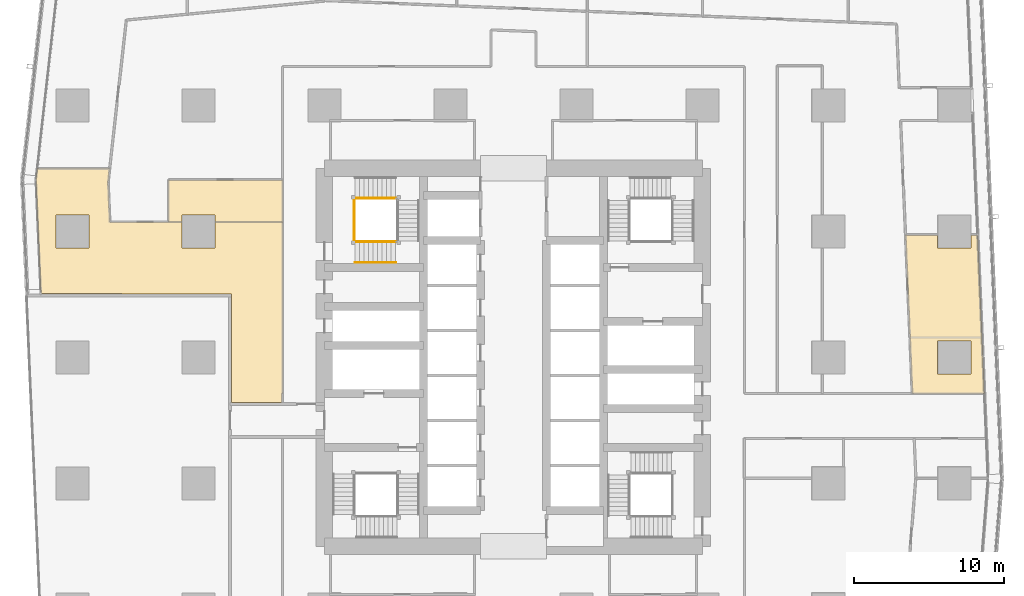
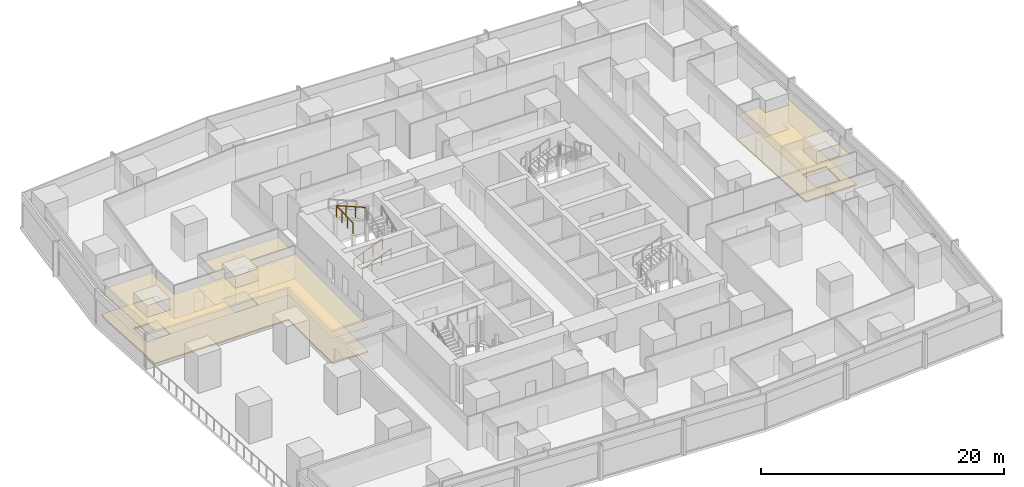
# One storey, part 38 of 42: 6 coverings, 4 railings.
"""IFC4 building model written with IfcOpenShell, lengths in metres."""

from ifc_helpers import new_model, si_unit, direction, frame, origin, origin_2d, place, context, subcontext, project, spatial, polyline, circle, outline, extrude, material, layer, layer_set, type_object, element, save


model = new_model("IFC4")

# Units and contexts
model_context = context("Model", 3, precision=1e-05, world=origin(), true_north=direction((0.0, 1.0)))
body_context = subcontext(model_context, "Body", "Model", "MODEL_VIEW")
ifc_project = project(units=[si_unit("LENGTHUNIT", "METRE"), si_unit("AREAUNIT", "SQUARE_METRE"), si_unit("VOLUMEUNIT", "CUBIC_METRE"), si_unit("PLANEANGLEUNIT", "RADIAN"), si_unit("MASSUNIT", "GRAM", prefix="KILO")], contexts=[model_context])

# Site, building, storey
site_placement = place(None, origin())
site = spatial("IfcSite", under=ifc_project, at=site_placement, CompositionType="ELEMENT")
building_placement = place(site_placement, origin())
building = spatial("IfcBuilding", under=site, at=building_placement, Name="Rekha Terrace Tower", CompositionType="ELEMENT")
storey_placement = place(building_placement, frame((0.0, 0.0, 55.39990234375)))
storey = spatial("IfcBuildingStorey", under=building, at=storey_placement, Name="L13", CompositionType="ELEMENT", Elevation=55.39990234375)

# Coverings
ifc_material_1 = material(Name="Mineral fibre tile in exposed grid", Category="finish")
ifc_layer_1 = layer(ifc_material_1, 0.02001953125)
ifc_layer_set_1 = layer_set([ifc_layer_1], Name="Mineral fibre tile in exposed grid")
covering_type_1 = type_object("IfcCoveringType", Name="CL1 600x1200 office grid ceiling", PredefinedType="CEILING", material=ifc_layer_set_1)
covering_1_placement = place(storey_placement, frame((0.0, 0.0, 2.580078125)))
element("IfcCovering", 1, at=covering_1_placement, inside=storey, type_object=covering_type_1, Name="Ceiling L13-07", PredefinedType="CEILING", context=body_context, shape_type="SweptSolid", body=[
    extrude(outline(polyline([(69.195068359375, 31.199951171875), (69.035888671875, 34.929931640625), (68.742919921875, 41.781005859375), (68.31494140625, 41.781005859375), (68.31494140625, 40.885009765625), (66.0849609375, 40.885009765625), (66.0849609375, 41.781005859375), (63.93896484375, 41.781005859375), (64.23193359375, 34.930908203125), (64.39111328125, 31.199951171875), (69.195068359375, 31.199951171875)]), holes=[polyline([(68.31494140625, 32.485107421875), (66.0849609375, 32.485107421875), (66.0849609375, 34.715087890625), (68.31494140625, 34.715087890625), (68.31494140625, 32.485107421875)])]), origin(), (0.0, 0.0, 1.0), 0.02001953125),
])
covering_2_placement = place(storey_placement, frame((0.0, 0.0, 2.580078125)))
element("IfcCovering", 2, at=covering_2_placement, inside=storey, type_object=covering_type_1, Name="Ceiling L13-16", PredefinedType="CEILING", context=body_context, shape_type="SweptSolid", body=[
    extrude(outline(polyline([(6.047119140625, 46.18994140625), (5.962890625, 45.444091796875), (6.2939453125, 37.863037109375), (11.694091796875, 37.863037109375), (11.694091796875, 37.8310546875), (19.0009765625, 37.8310546875), (19.0009765625, 30.60107421875), (22.375, 30.60107421875), (22.375, 31.199951171875), (22.39990234375, 31.199951171875), (22.39990234375, 42.631103515625), (17.9150390625, 42.631103515625), (17.9150390625, 40.885009765625), (15.68505859375, 40.885009765625), (15.68505859375, 42.631103515625), (10.89111328125, 42.631103515625), (10.77490234375, 45.280029296875), (10.876953125, 46.18994140625), (6.047119140625, 46.18994140625)]), holes=[polyline([(9.514892578125, 40.885009765625), (7.284912109375, 40.885009765625), (7.284912109375, 43.114990234375), (9.514892578125, 43.114990234375), (9.514892578125, 40.885009765625)])]), origin(), (0.0, 0.0, 1.0), 0.02001953125),
])
covering_3_placement = place(storey_placement, frame((0.0, 0.0, 2.580078125)))
element("IfcCovering", 3, at=covering_3_placement, inside=storey, type_object=covering_type_1, Name="Ceiling L13-17", PredefinedType="CEILING", context=body_context, shape_type="SweptSolid", body=[
    extrude(outline(polyline([(22.39990234375, 45.444091796875), (14.801025390625, 45.444091796875), (14.801025390625, 42.631103515625), (15.68505859375, 42.631103515625), (15.68505859375, 43.114990234375), (17.9150390625, 43.114990234375), (17.9150390625, 42.631103515625), (22.39990234375, 42.631103515625), (22.39990234375, 45.444091796875)])), origin(), (0.0, 0.0, 1.0), 0.02001953125),
])

# Railings
ifc_material_2 = material(Name="Stainless steel balustrade", Category="steel")
railing_type_1 = type_object("IfcRailingType", Name="GR1 1100 stair guard", PredefinedType="GUARDRAIL", material=ifc_material_2)
railing_1_placement = place(storey_placement, frame((27.25, 41.31494140625, 0.125)))
element("IfcRailing", 4, at=railing_1_placement, inside=storey, type_object=railing_type_1, Name="Guard ST4 L13 flight 1", PredefinedType="GUARDRAIL", context=body_context, shape_type="SweptSolid", body=[
    extrude(circle(Radius=0.02392578125, at=origin_2d()), frame((0.0, 0.0, 1.076171875), z_axis=(0.923074453586, 0.0, 0.384621311341), x_axis=(0.0, 1.0, 0.0)), (0.0, 0.0, 1.0), 2.925048828125),
    extrude(circle(Radius=0.02099609375, at=origin_2d()), origin(), (0.0, 0.0, 1.0), 1.052001953125),
    extrude(circle(Radius=0.02099609375, at=origin_2d()), frame((0.89990234375, 0.0, 0.375)), (0.0, 0.0, 1.0), 1.052001953125),
    extrude(circle(Radius=0.02099609375, at=origin_2d()), frame((1.800048828125, 0.0, 0.75)), (0.0, 0.0, 1.0), 1.052001953125),
    extrude(circle(Radius=0.02099609375, at=origin_2d()), frame((2.699951171875, 0.0, 1.125)), (0.0, 0.0, 1.0), 1.052001953125),
])
railing_2_placement = place(storey_placement, frame((29.949951171875, 44.2099609375, 2.625)))
element("IfcRailing", 5, at=railing_2_placement, inside=storey, type_object=railing_type_1, Name="Guard ST4 L13 flight 3", PredefinedType="GUARDRAIL", context=body_context, shape_type="SweptSolid", body=[
    extrude(circle(Radius=0.02392578125, at=origin_2d()), frame((0.0, 0.0, 1.076171875), z_axis=(-0.923074453586, 0.0, 0.384621311341), x_axis=(0.0, -1.0, 0.0)), (0.0, 0.0, 1.0), 2.925048828125),
    extrude(circle(Radius=0.02099609375, at=origin_2d()), origin(), (0.0, 0.0, 1.0), 1.052001953125),
    extrude(circle(Radius=0.02099609375, at=origin_2d()), frame((-0.89990234375, 0.0, 0.375)), (0.0, 0.0, 1.0), 1.052001953125),
    extrude(circle(Radius=0.02099609375, at=origin_2d()), frame((-1.800048828125, 0.0, 0.75)), (0.0, 0.0, 1.0), 1.052001953125),
    extrude(circle(Radius=0.02099609375, at=origin_2d()), frame((-2.699951171875, 0.0, 1.125)), (0.0, 0.0, 1.0), 1.052001953125),
])
railing_3_placement = place(storey_placement, frame((27.18994140625, 41.375, 3.75)))
element("IfcRailing", 6, at=railing_3_placement, inside=storey, type_object=railing_type_1, Name="Guard ST4 L13 landing 4", PredefinedType="GUARDRAIL", context=body_context, shape_type="SweptSolid", body=[
    extrude(circle(Radius=0.02392578125, at=origin_2d()), frame((0.0, 0.0, 1.076171875), z_axis=(0.0, 1.0, 0.0), x_axis=(-1.0, 0.0, 0.0)), (0.0, 0.0, 1.0), 2.77490234375),
    extrude(circle(Radius=0.02099609375, at=origin_2d()), origin(), (0.0, 0.0, 1.0), 1.052001953125),
    extrude(circle(Radius=0.02099609375, at=origin_2d()), frame((0.0, 0.925048828125, 0.0)), (0.0, 0.0, 1.0), 1.052001953125),
    extrude(circle(Radius=0.02099609375, at=origin_2d()), frame((0.0, 1.849853515625, 0.0)), (0.0, 0.0, 1.0), 1.052001953125),
    extrude(circle(Radius=0.02099609375, at=origin_2d()), frame((0.0, 2.77490234375, 0.0)), (0.0, 0.0, 1.0), 1.052001953125),
])
ifc_material_3 = material(Name="Stainless steel tube", Category="steel")
railing_type_2 = type_object("IfcRailingType", Name="HR1 900 stair handrail", PredefinedType="HANDRAIL", material=ifc_material_3)
railing_4_placement = place(storey_placement, frame((27.25, 39.93505859375, 0.125)))
element("IfcRailing", 7, at=railing_4_placement, inside=storey, type_object=railing_type_2, Name="Handrail ST4 L13 flight 1", PredefinedType="HANDRAIL", context=body_context, shape_type="SweptSolid", body=[
    extrude(circle(Radius=0.02392578125, at=origin_2d()), frame((0.0, 0.0, 0.8759765625), z_axis=(0.923074453586, 0.0, 0.384621311341), x_axis=(0.0, 1.0, 0.0)), (0.0, 0.0, 1.0), 2.925048828125),
    extrude(circle(Radius=0.02099609375, at=origin_2d()), origin(), (0.0, 0.0, 1.0), 0.851806640625),
    extrude(circle(Radius=0.02099609375, at=origin_2d()), frame((0.89990234375, 0.0, 0.375)), (0.0, 0.0, 1.0), 0.851806640625),
    extrude(circle(Radius=0.02099609375, at=origin_2d()), frame((1.800048828125, 0.0, 0.75)), (0.0, 0.0, 1.0), 0.851806640625),
    extrude(circle(Radius=0.02099609375, at=origin_2d()), frame((2.699951171875, 0.0, 1.125)), (0.0, 0.0, 1.0), 0.851806640625),
])

# Coverings
ifc_material_4 = material(Name="Calcium sulphate panels on steel pedestals", Category="steel")
ifc_layer_2 = layer(ifc_material_4, 0.14990234375)
ifc_layer_set_2 = layer_set([ifc_layer_2], Name="Calcium sulphate panels on steel pedestals")
covering_type_2 = type_object("IfcCoveringType", Name="RF1 150 raised access floor", PredefinedType="FLOORING", material=ifc_layer_set_2)
covering_4_placement = place(storey_placement, origin())
element("IfcCovering", 8, at=covering_4_placement, inside=storey, type_object=covering_type_2, Name="Raised floor L13-07", PredefinedType="FLOORING", context=body_context, shape_type="SweptSolid", body=[
    extrude(outline(polyline([(69.195068359375, 31.199951171875), (69.035888671875, 34.929931640625), (68.742919921875, 41.781005859375), (68.31494140625, 41.781005859375), (68.31494140625, 40.885009765625), (66.0849609375, 40.885009765625), (66.0849609375, 41.781005859375), (63.93896484375, 41.781005859375), (64.23193359375, 34.930908203125), (64.39111328125, 31.199951171875), (69.195068359375, 31.199951171875)]), holes=[polyline([(68.31494140625, 32.485107421875), (66.0849609375, 32.485107421875), (66.0849609375, 34.715087890625), (68.31494140625, 34.715087890625), (68.31494140625, 32.485107421875)])]), origin(), (0.0, 0.0, 1.0), 0.150146484375),
])
covering_5_placement = place(storey_placement, origin())
element("IfcCovering", 9, at=covering_5_placement, inside=storey, type_object=covering_type_2, Name="Raised floor L13-16", PredefinedType="FLOORING", context=body_context, shape_type="SweptSolid", body=[
    extrude(outline(polyline([(6.047119140625, 46.18994140625), (5.962890625, 45.444091796875), (6.2939453125, 37.863037109375), (11.694091796875, 37.863037109375), (11.694091796875, 37.8310546875), (19.0009765625, 37.8310546875), (19.0009765625, 30.60107421875), (22.375, 30.60107421875), (22.375, 31.199951171875), (22.39990234375, 31.199951171875), (22.39990234375, 42.631103515625), (17.9150390625, 42.631103515625), (17.9150390625, 40.885009765625), (15.68505859375, 40.885009765625), (15.68505859375, 42.631103515625), (10.89111328125, 42.631103515625), (10.77490234375, 45.280029296875), (10.876953125, 46.18994140625), (6.047119140625, 46.18994140625)]), holes=[polyline([(9.514892578125, 40.885009765625), (7.284912109375, 40.885009765625), (7.284912109375, 43.114990234375), (9.514892578125, 43.114990234375), (9.514892578125, 40.885009765625)])]), origin(), (0.0, 0.0, 1.0), 0.150146484375),
])
covering_6_placement = place(storey_placement, origin())
element("IfcCovering", 10, at=covering_6_placement, inside=storey, type_object=covering_type_2, Name="Raised floor L13-17", PredefinedType="FLOORING", context=body_context, shape_type="SweptSolid", body=[
    extrude(outline(polyline([(22.39990234375, 45.444091796875), (14.801025390625, 45.444091796875), (14.801025390625, 42.631103515625), (15.68505859375, 42.631103515625), (15.68505859375, 43.114990234375), (17.9150390625, 43.114990234375), (17.9150390625, 42.631103515625), (22.39990234375, 42.631103515625), (22.39990234375, 45.444091796875)])), origin(), (0.0, 0.0, 1.0), 0.150146484375),
])

save(model, "model.ifc")
